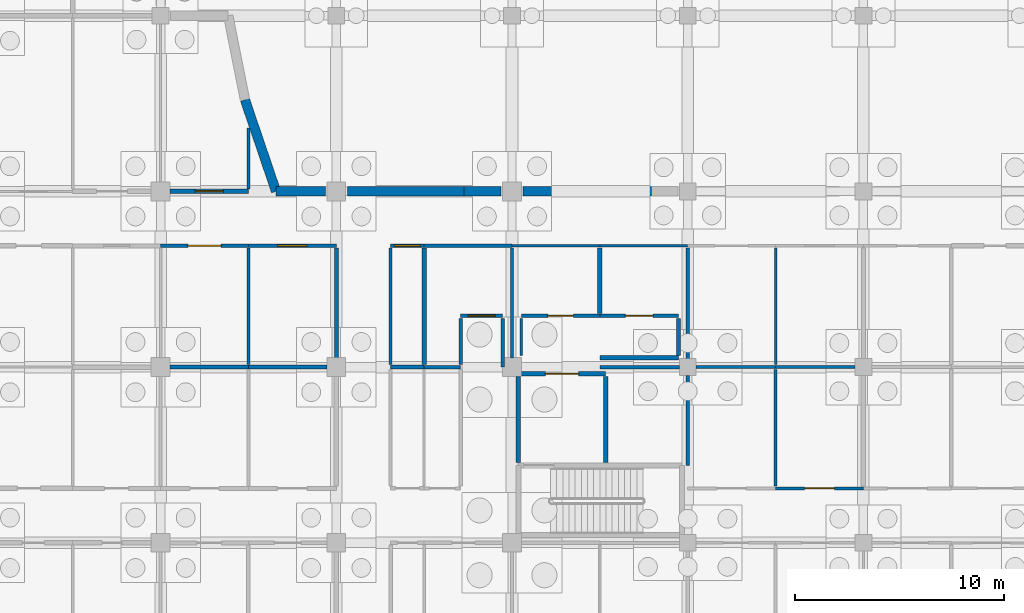
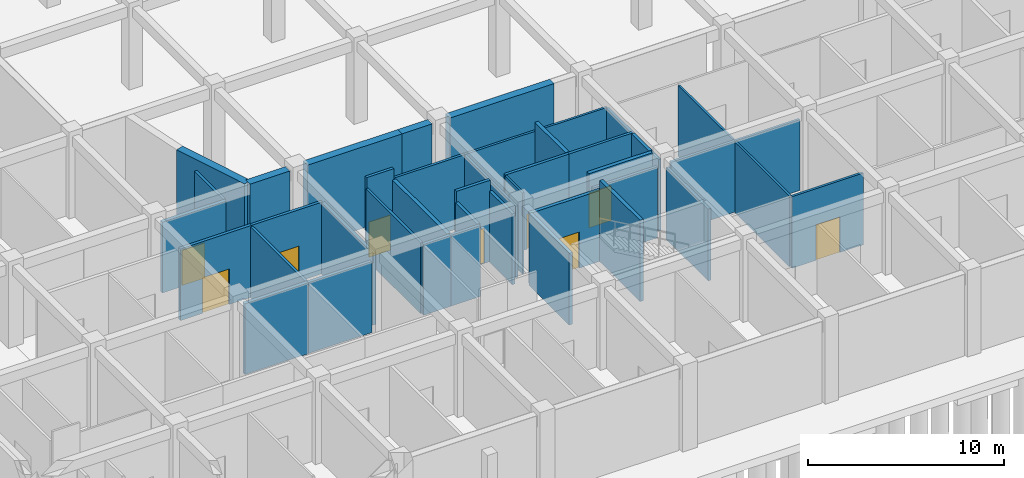
# One storey, part 46 of 65: 42 walls, 9 doors, 9 openings.
"""IFC4 building model written with IfcOpenShell, lengths in metres."""

import ifcopenshell
import ifcopenshell.guid

model = None  # the IFC model being written
_history = None  # IfcOwnerHistory: only IFC2X3 demands one
_inside = {}  # id of a spatial element -> (the spatial element, [elements in it])
_under = {}  # id of a project, library or spatial element -> (it, [spatial elements below it])
_declared = {}  # id of a project -> (the project, [libraries it declares])
_typed = {}  # id of a type object -> (the type object, [elements of that type])
_made_of = {}  # id of a material, layer set ... -> (it, [elements and type objects made of it])


def new_model(schema):
    """Start an empty IFC model of exactly this schema.

    Asked for "IFC4X3", IfcOpenShell would pick the latest addendum, in which some entities
    have other attributes; the version numbers below select the first issue.
    IFC2X3 requires an IfcOwnerHistory on every rooted entity: one is made here for all.
    """
    global model, _history
    if schema == "IFC4X3":
        model = ifcopenshell.file(schema_version=(4, 3, 0, 0))
    else:
        model = ifcopenshell.file(schema=schema)
    _inside.clear()
    _under.clear()
    _declared.clear()
    _typed.clear()
    _made_of.clear()
    _history = None
    if model.schema == "IFC2X3":
        org = make("IfcOrganization", Name="unknown")
        user = make(
            "IfcPersonAndOrganization",
            ThePerson=make("IfcPerson", FamilyName="unknown"),
            TheOrganization=org,
        )
        app = make(
            "IfcApplication",
            ApplicationDeveloper=org,
            Version="unknown",
            ApplicationFullName="unknown",
            ApplicationIdentifier="unknown",
        )
        _history = make(
            "IfcOwnerHistory",
            OwningUser=user,
            OwningApplication=app,
            ChangeAction="ADDED",
            CreationDate=0,
        )
    return model


def make(cls, **values):
    """One entity of the class cls with the attributes given. An attribute that is None is left unset."""
    return model.create_entity(
        cls, **{name: value for name, value in values.items() if value is not None}
    )


def rooted(cls, **values):
    """An entity with a GlobalId (a new one), such as an element, a storey or a relation."""
    return make(cls, GlobalId=ifcopenshell.guid.new(), OwnerHistory=_history, **values)


def si_unit(unit_type, name, prefix=None):
    """IfcSIUnit, for example si_unit("LENGTHUNIT", "METRE", prefix="MILLI")."""
    return make("IfcSIUnit", UnitType=unit_type, Prefix=prefix, Name=name)


def assignment(units):
    """IfcUnitAssignment: the units of a project."""
    return None if units is None else make("IfcUnitAssignment", Units=units)


def point(xyz):
    """IfcCartesianPoint."""
    return None if xyz is None else make("IfcCartesianPoint", Coordinates=xyz)


def direction(xyz):
    """IfcDirection."""
    return None if xyz is None else make("IfcDirection", DirectionRatios=xyz)


def frame(location, z_axis=None, x_axis=None):
    """IfcAxis2Placement3D, a coordinate frame: its origin and axes. An axis left out is left unset."""
    return make(
        "IfcAxis2Placement3D",
        Location=point(location),
        Axis=direction(z_axis),
        RefDirection=direction(x_axis),
    )


def frame_2d(location, x_axis=None):
    """IfcAxis2Placement2D, a coordinate frame in the plane: its origin and x axis."""
    return make(
        "IfcAxis2Placement2D", Location=point(location), RefDirection=direction(x_axis)
    )


def origin():
    """The frame at (0, 0, 0) with its axes left unset."""
    return frame((0.0, 0.0, 0.0))


def place(relative_to, where):
    """IfcLocalPlacement: puts the frame where relative to a parent placement (None: the world)."""
    return make(
        "IfcLocalPlacement", PlacementRelTo=relative_to, RelativePlacement=where
    )


def context(
    kind, dimensions, precision=None, world=None, true_north=None, identifier=None
):
    """IfcGeometricRepresentationContext, for example the 3D "Model" context."""
    return make(
        "IfcGeometricRepresentationContext",
        ContextIdentifier=identifier,
        ContextType=kind,
        CoordinateSpaceDimension=dimensions,
        Precision=precision,
        WorldCoordinateSystem=world,
        TrueNorth=true_north,
    )


def subcontext(parent, identifier, kind, view, scale=None):
    """IfcGeometricRepresentationSubContext, for example "Body" below "Model"."""
    return make(
        "IfcGeometricRepresentationSubContext",
        ContextIdentifier=identifier,
        ContextType=kind,
        ParentContext=parent,
        TargetScale=scale,
        TargetView=view,
    )


def project(units=None, contexts=None):
    """IfcProject with its units and contexts."""
    return rooted(
        "IfcProject",
        Name="project",
        RepresentationContexts=contexts,
        UnitsInContext=assignment(units),
    )


def spatial(cls, under=None, at=None, **own):
    """A site, building, storey or space (cls), placed at a placement, below another one or the project."""
    s = rooted(cls, ObjectPlacement=at, **own)
    if under is not None:
        _under.setdefault(under.id(), (under, []))[1].append(s)
    return s


def profile(cls, at=None, kind="AREA", **sizes):
    """A parametric profile (cls). Its sizes go by their IFC names, for example OverallWidth=200.0."""
    return make(cls, ProfileType=kind, Position=at, **sizes)


def rectangle(**sizes):
    """IfcRectangleProfileDef."""
    return profile("IfcRectangleProfileDef", **sizes)


def extrude(swept, where, along, depth):
    """IfcExtrudedAreaSolid: the profile swept, set in the frame where, extruded along a direction by depth."""
    return make(
        "IfcExtrudedAreaSolid",
        SweptArea=swept,
        Position=where,
        ExtrudedDirection=direction(along),
        Depth=depth,
    )


def shape(context_of_items, identifier, shape_type, items):
    """IfcShapeRepresentation: the items that make up one representation, for example the "Body"."""
    return make(
        "IfcShapeRepresentation",
        ContextOfItems=context_of_items,
        RepresentationIdentifier=identifier,
        RepresentationType=shape_type,
        Items=items,
    )


def material(Name=None, Category=None):
    """IfcMaterial."""
    return make("IfcMaterial", Name=Name, Category=Category)


def layer(
    of_material, thickness, ventilated=None, Name=None, Category=None, Priority=None
):
    """IfcMaterialLayer: one layer of a wall or slab, of a material (None: an air gap)."""
    return make(
        "IfcMaterialLayer",
        Material=of_material,
        LayerThickness=thickness,
        IsVentilated=ventilated,
        Name=Name,
        Category=Category,
        Priority=Priority,
    )


def layer_set(layers, Name=None):
    """IfcMaterialLayerSet."""
    return make("IfcMaterialLayerSet", MaterialLayers=layers, LayerSetName=Name)


def made_of(thing, what):
    """Note that an element or type object is made of a material, layer set ...; save() writes the relation."""
    if what is not None:
        _made_of.setdefault(what.id(), (what, []))[1].append(thing)
    return thing


def type_object(cls, material=None, **own):
    """A type object (cls), such as IfcWallType, which elements share."""
    return made_of(rooted(cls, **own), material)


def element(
    cls,
    number,
    at=None,
    inside=None,
    cuts=None,
    type_object=None,
    material=None,
    context=None,
    identifier="Body",
    shape_type=None,
    held_by="IfcProductDefinitionShape",
    body=None,
    shapes=None,
    **own,
):
    """One element of the class cls, such as IfcWall. Its Tag is "e" and its number.

    at: its placement. inside: the storey or other place that contains it. cuts: it is an
    opening in that element (IfcRelVoidsElement). A single representation is given by context,
    identifier, shape_type and body (its items); several are given by shapes. held_by: the class
    of the entity that holds the representations. save() writes the other relations.
    """
    e = rooted(cls, Tag="e%d" % number, ObjectPlacement=at, **own)
    if body is not None:
        shapes = [shape(context, identifier, shape_type, body)]
    if shapes is not None:
        e.Representation = make(held_by, Representations=shapes)
    if inside is not None:
        _inside.setdefault(inside.id(), (inside, []))[1].append(e)
    if cuts is not None:
        rooted(
            "IfcRelVoidsElement", RelatingBuildingElement=cuts, RelatedOpeningElement=e
        )
    if type_object is not None:
        _typed.setdefault(type_object.id(), (type_object, []))[1].append(e)
    return made_of(e, material)


def fill(opening, filler):
    """IfcRelFillsElement: the door or window that sits in an opening."""
    return rooted(
        "IfcRelFillsElement",
        RelatingOpeningElement=opening,
        RelatedBuildingElement=filler,
    )


def aggregate(whole, parts):
    """IfcRelAggregates: a whole, such as a stair, and the parts it consists of."""
    return rooted("IfcRelAggregates", RelatingObject=whole, RelatedObjects=parts)


def save(model, path):
    """Write the relations noted so far, then the file.

    IfcRelAggregates (storeys below a building ...), IfcRelContainedInSpatialStructure (elements
    in a storey), IfcRelDefinesByType, IfcRelAssociatesMaterial and IfcRelDeclares: one each for
    every whole, place, type object, material and project.
    """
    for whole, parts in _under.values():
        aggregate(whole, parts)
    for where, things in _inside.values():
        rooted(
            "IfcRelContainedInSpatialStructure",
            RelatedElements=things,
            RelatingStructure=where,
        )
    for kind, things in _typed.values():
        rooted("IfcRelDefinesByType", RelatedObjects=things, RelatingType=kind)
    for what, things in _made_of.values():
        rooted("IfcRelAssociatesMaterial", RelatedObjects=things, RelatingMaterial=what)
    for by, libraries in _declared.values():
        rooted("IfcRelDeclares", RelatingContext=by, RelatedDefinitions=libraries)
    model.write(path)


model = new_model("IFC4")

# Units and contexts
model_context = context("Model", 3, precision=1e-05, world=origin(), true_north=direction((0.0, 1.0)))
body_context = subcontext(model_context, "Body", "Model", "MODEL_VIEW")
ifc_project = project(units=[si_unit("LENGTHUNIT", "METRE"), si_unit("AREAUNIT", "SQUARE_METRE"), si_unit("VOLUMEUNIT", "CUBIC_METRE"), si_unit("PLANEANGLEUNIT", "RADIAN"), si_unit("MASSUNIT", "GRAM", prefix="KILO")], contexts=[model_context])

# Site, building, storey
site_placement = place(None, origin())
site = spatial("IfcSite", under=ifc_project, at=site_placement, CompositionType="ELEMENT")
building_placement = place(site_placement, origin())
building = spatial("IfcBuilding", under=site, at=building_placement, Name="Bramfleet General Hospital", CompositionType="ELEMENT")
storey_placement = place(building_placement, frame((0.0, 0.0, -5.39990234375)))
storey = spatial("IfcBuildingStorey", under=building, at=storey_placement, Name="B1", CompositionType="ELEMENT", Elevation=-5.39990234375)

# Walls
ifc_material_1 = material(Name="Concrete C35/45", Category="concrete")
ifc_layer_1 = layer(ifc_material_1, 0.449951171875, Name="WT-EW-01")
ifc_layer_set_1 = layer_set([ifc_layer_1], Name="Concrete C35/45")
wall_type_1 = type_object("IfcWallType", Name="WT-EW-01", PredefinedType="SOLIDWALL", material=ifc_layer_set_1)
wall_1_placement = place(storey_placement, frame((130.035888671875, 29.576904296875, 0.0), z_axis=(0.0, 0.0, 1.0), x_axis=(0.321309878482, -0.946974108405, 0.0)))
element("IfcWall", 1, at=wall_1_placement, inside=storey, type_object=wall_type_1, Name="B1 Waterproof Retaining Wall 53", PredefinedType="SOLIDWALL", context=body_context, shape_type="SweptSolid", body=[
    extrude(rectangle(XDim=4.6220703125, YDim=0.449951171875, at=frame_2d((2.31103515625, 0.0))), origin(), (0.0, 0.0, 1.0), 5.079833984375),
])
wall_2_placement = place(storey_placement, frame((131.52099609375, 25.199951171875, 0.0), z_axis=(0.0, 0.0, 1.0), x_axis=(1.0, 0.0, 0.0)))
element("IfcWall", 2, at=wall_2_placement, inside=storey, type_object=wall_type_1, Name="B1 Waterproof Retaining Wall 54", PredefinedType="SOLIDWALL", context=body_context, shape_type="SweptSolid", body=[
    extrude(rectangle(XDim=2.35400390625, YDim=0.449951171875, at=frame_2d((1.177001953125, 0.0))), origin(), (0.0, 0.0, 1.0), 5.079833984375),
])
wall_3_placement = place(storey_placement, frame((134.925048828125, 25.199951171875, 0.0), z_axis=(0.0, 0.0, 1.0), x_axis=(1.0, 0.0, 0.0)))
element("IfcWall", 3, at=wall_3_placement, inside=storey, type_object=wall_type_1, Name="B1 Waterproof Retaining Wall 55", PredefinedType="SOLIDWALL", context=body_context, shape_type="SweptSolid", body=[
    extrude(rectangle(XDim=5.572021484375, YDim=0.449951171875, at=frame_2d((2.7861328125, 0.0))), origin(), (0.0, 0.0, 1.0), 5.079833984375),
])
wall_4_placement = place(storey_placement, frame((140.4970703125, 25.199951171875, 0.0), z_axis=(0.0, 0.0, 1.0), x_axis=(1.0, 0.0, 0.0)))
element("IfcWall", 4, at=wall_4_placement, inside=storey, type_object=wall_type_1, Name="B1 Waterproof Retaining Wall 56", PredefinedType="SOLIDWALL", context=body_context, shape_type="SweptSolid", body=[
    extrude(rectangle(XDim=1.77783203125, YDim=0.449951171875, at=frame_2d((0.888916015625, 0.0))), origin(), (0.0, 0.0, 1.0), 5.079833984375),
])
wall_5_placement = place(storey_placement, frame((143.324951171875, 25.199951171875, 0.0), z_axis=(0.0, 0.0, 1.0), x_axis=(1.0, 0.0, 0.0)))
element("IfcWall", 5, at=wall_5_placement, inside=storey, type_object=wall_type_1, Name="B1 Waterproof Retaining Wall 57", PredefinedType="SOLIDWALL", context=body_context, shape_type="SweptSolid", body=[
    extrude(rectangle(XDim=6.14794921875, YDim=0.449951171875, at=frame_2d((3.073974609375, 0.0))), origin(), (0.0, 0.0, 1.0), 5.079833984375),
])
ifc_layer_2 = layer(ifc_material_1, 0.219970703125, Name="WT-IW-01")
ifc_layer_set_2 = layer_set([ifc_layer_2], Name="Concrete C35/45")
wall_type_2 = type_object("IfcWallType", Name="WT-IW-01", PredefinedType="PARTITIONING", material=ifc_layer_set_2)
wall_6_placement = place(storey_placement, frame((147.0, 17.25, 0.0), z_axis=(0.0, 0.0, 1.0), x_axis=(1.0, 0.0, 0.0)))
element("IfcWall", 6, at=wall_6_placement, inside=storey, type_object=wall_type_2, Name="B1 Interior Partition IW-B1-0073", PredefinedType="PARTITIONING", context=body_context, shape_type="SweptSolid", body=[
    extrude(rectangle(XDim=3.75, YDim=0.219970703125, at=frame_2d((1.875, 0.0))), origin(), (0.0, 0.0, 1.0), 5.06982421875),
])
wall_7_placement = place(storey_placement, frame((138.60009765625, 16.9150390625, 0.0), z_axis=(0.0, 0.0, 1.0), x_axis=(0.0, 1.0, 0.0)))
element("IfcWall", 7, at=wall_7_placement, inside=storey, type_object=wall_type_2, Name="B1 Interior Partition IW-B1-0565", PredefinedType="PARTITIONING", context=body_context, shape_type="SweptSolid", body=[
    extrude(rectangle(XDim=5.570068359375, YDim=0.219970703125, at=frame_2d((2.78515625, 0.0))), origin(), (0.0, 0.0, 1.0), 4.419921875),
])
wall_8_placement = place(storey_placement, frame((147.0, 19.364990234375, 0.0), z_axis=(0.0, 0.0, 1.0), x_axis=(0.0, 1.0, 0.0)))
element("IfcWall", 8, at=wall_8_placement, inside=storey, type_object=wall_type_2, Name="B1 Interior Partition IW-B1-0577", PredefinedType="PARTITIONING", context=body_context, shape_type="SweptSolid", body=[
    extrude(rectangle(XDim=3.1201171875, YDim=0.219970703125, at=frame_2d((1.56005859375, 0.0))), origin(), (0.0, 0.0, 1.0), 5.06982421875),
])
ifc_layer_3 = layer(ifc_material_1, 0.205078125, Name="WT-IW-02")
ifc_layer_set_3 = layer_set([ifc_layer_3], Name="Concrete C35/45")
wall_type_3 = type_object("IfcWallType", Name="WT-IW-02", PredefinedType="PARTITIONING", material=ifc_layer_set_3)
wall_9_placement = place(storey_placement, frame((147.280029296875, 12.239990234375, 0.0), z_axis=(0.0, 0.0, 1.0), x_axis=(0.0, 1.0, 0.0)))
element("IfcWall", 9, at=wall_9_placement, inside=storey, type_object=wall_type_3, Name="B1 C10 Lobby East Shaft Wall", PredefinedType="PARTITIONING", context=body_context, shape_type="SweptSolid", body=[
    extrude(rectangle(XDim=4.1201171875, YDim=0.205078125, at=frame_2d((2.06005859375, 0.0))), origin(), (0.0, 0.0, 1.0), 5.06982421875),
])
wall_10_placement = place(storey_placement, frame((143.10009765625, 12.239990234375, 0.0), z_axis=(0.0, 0.0, 1.0), x_axis=(0.0, 1.0, 0.0)))
element("IfcWall", 10, at=wall_10_placement, inside=storey, type_object=wall_type_3, Name="B1 C10 Lobby West Compartment Wall", PredefinedType="PARTITIONING", context=body_context, shape_type="SweptSolid", body=[
    extrude(rectangle(XDim=4.1201171875, YDim=0.205078125, at=frame_2d((2.06005859375, 0.0))), origin(), (0.0, 0.0, 1.0), 4.469970703125),
])

# Wall, opening, door
wall_11_placement = place(storey_placement, frame((143.10009765625, 16.47998046875, 0.0), z_axis=(0.0, 0.0, 1.0), x_axis=(1.0, 0.0, 0.0)))
wall_11 = element("IfcWall", 11, at=wall_11_placement, inside=storey, type_object=wall_type_3, Name="B1 C10 Lobby North Compartment Wall", PredefinedType="PARTITIONING", context=body_context, shape_type="SweptSolid", body=[
    extrude(rectangle(XDim=4.179931640625, YDim=0.205078125, at=frame_2d((2.08984375, 0.0))), origin(), (0.0, 0.0, 1.0), 4.419921875),
])
opening_1_placement = place(wall_11_placement, frame((1.2900390625, 0.0, 0.0)))
opening_1 = element("IfcOpeningElement", 12, at=opening_1_placement, cuts=wall_11, Name="Opening D0124", PredefinedType="OPENING", context=body_context, shape_type="SweptSolid", body=[
    extrude(rectangle(XDim=1.60009765625, YDim=2.25, at=frame_2d((0.800048828125, 1.125))), frame((0.0, 0.112548828125, 0.0), z_axis=(0.0, -1.0, 0.0), x_axis=(1.0, 0.0, 0.0)), (0.0, 0.0, 1.0), 0.22509765625),
])
ifc_material_2 = material(Name="Stainless steel and acoustic timber leaf", Category="steel")
door_type_1 = type_object("IfcDoorType", Name="DR-D-04", OperationType="NOTDEFINED", PredefinedType="DOOR", material=ifc_material_2)
door_1_placement = place(opening_1_placement, origin())
door_1 = element("IfcDoor", 13, at=door_1_placement, inside=storey, type_object=door_type_1, Name="B1 C10 Lobby Fire Door D0124", OperationType="DOUBLE_SWING_LEFT", OverallHeight=2.25, OverallWidth=1.60009765625, PredefinedType="DOOR", context=body_context, shape_type="SweptSolid", body=[
    extrude(rectangle(XDim=1.60009765625, YDim=2.25, at=frame_2d((0.800048828125, 1.125))), frame((0.0, 0.02490234375, 0.0), z_axis=(0.0, -1.0, 0.0), x_axis=(1.0, 0.0, 0.0)), (0.0, 0.0, 1.0), 0.050048828125),
])
fill(opening_1, door_1)

# Wall
wall_12_placement = place(storey_placement, frame((126.445068359375, 16.800048828125, 0.0), z_axis=(0.0, 0.0, 1.0), x_axis=(1.0, 0.0, 0.0)))
element("IfcWall", 14, at=wall_12_placement, inside=storey, type_object=wall_type_3, Name="B1 Interior Partition IW-B1-0062", PredefinedType="PARTITIONING", context=body_context, shape_type="SweptSolid", body=[
    extrude(rectangle(XDim=3.7548828125, YDim=0.205078125, at=frame_2d((1.87744140625, 0.0))), origin(), (0.0, 0.0, 1.0), 4.419921875),
])

# Wall, opening, door
wall_13_placement = place(storey_placement, frame((126.445068359375, 25.199951171875, 0.0), z_axis=(0.0, 0.0, 1.0), x_axis=(1.0, 0.0, 0.0)))
wall_13 = element("IfcWall", 15, at=wall_13_placement, inside=storey, type_object=wall_type_3, Name="B1 Interior Partition IW-B1-0110", PredefinedType="PARTITIONING", context=body_context, shape_type="SweptSolid", body=[
    extrude(rectangle(XDim=3.7548828125, YDim=0.205078125, at=frame_2d((1.87744140625, 0.0))), origin(), (0.0, 0.0, 1.0), 4.419921875),
])
opening_2_placement = place(wall_13_placement, frame((1.202392578125, 0.0, 0.0)))
opening_2 = element("IfcOpeningElement", 16, at=opening_2_placement, cuts=wall_13, Name="Opening D0354", PredefinedType="OPENING", context=body_context, shape_type="SweptSolid", body=[
    extrude(rectangle(XDim=1.35009765625, YDim=2.199951171875, at=frame_2d((0.675048828125, 1.10009765625))), frame((0.0, 0.112548828125, 0.0), z_axis=(0.0, -1.0, 0.0), x_axis=(1.0, 0.0, 0.0)), (0.0, 0.0, 1.0), 0.22509765625),
])
door_type_2 = type_object("IfcDoorType", Name="DR-D-02", OperationType="NOTDEFINED", PredefinedType="DOOR", material=ifc_material_2)
door_2_placement = place(opening_2_placement, origin())
door_2 = element("IfcDoor", 17, at=door_2_placement, inside=storey, type_object=door_type_2, Name="Clean Medical Supply Store B1-1503 Door D0354", OperationType="SINGLE_SWING_LEFT", OverallHeight=2.199951171875, OverallWidth=1.35009765625, PredefinedType="DOOR", context=body_context, shape_type="SweptSolid", body=[
    extrude(rectangle(XDim=1.35009765625, YDim=2.199951171875, at=frame_2d((0.675048828125, 1.10009765625))), frame((0.0, 0.02490234375, 0.0), z_axis=(0.0, -1.0, 0.0), x_axis=(1.0, 0.0, 0.0)), (0.0, 0.0, 1.0), 0.050048828125),
])
fill(opening_2, door_2)

# Walls
ifc_layer_4 = layer(ifc_material_1, 0.18994140625, Name="WT-IW-03")
ifc_layer_set_4 = layer_set([ifc_layer_4], Name="Concrete C35/45")
wall_type_4 = type_object("IfcWallType", Name="WT-IW-03", PredefinedType="PARTITIONING", material=ifc_layer_set_4)
wall_14_placement = place(storey_placement, frame((130.199951171875, 16.800048828125, 0.0), z_axis=(0.0, 0.0, 1.0), x_axis=(1.0, 0.0, 0.0)))
element("IfcWall", 18, at=wall_14_placement, inside=storey, type_object=wall_type_4, Name="B1 Interior Partition IW-B1-0063", PredefinedType="PARTITIONING", context=body_context, shape_type="SweptSolid", body=[
    extrude(rectangle(XDim=3.755126953125, YDim=0.18994140625, at=frame_2d((1.87744140625, 0.0))), origin(), (0.0, 0.0, 1.0), 4.419921875),
])
wall_15_placement = place(storey_placement, frame((134.39990234375, 17.2451171875, 0.0), z_axis=(0.0, 0.0, 1.0), x_axis=(0.0, 1.0, 0.0)))
element("IfcWall", 19, at=wall_15_placement, inside=storey, type_object=wall_type_4, Name="B1 Interior Partition IW-B1-0555", PredefinedType="PARTITIONING", context=body_context, shape_type="SweptSolid", body=[
    extrude(rectangle(XDim=5.239990234375, YDim=0.18994140625, at=frame_2d((2.6201171875, 0.0))), origin(), (0.0, 0.0, 1.0), 4.469970703125),
])
wall_16_placement = place(storey_placement, frame((150.75, 17.364990234375, 0.0), z_axis=(0.0, 0.0, 1.0), x_axis=(0.0, 1.0, 0.0)))
element("IfcWall", 20, at=wall_16_placement, inside=storey, type_object=wall_type_4, Name="B1 Interior Partition IW-B1-0579", PredefinedType="PARTITIONING", context=body_context, shape_type="SweptSolid", body=[
    extrude(rectangle(XDim=1.77001953125, YDim=0.18994140625, at=frame_2d((0.885009765625, 0.0))), origin(), (0.0, 0.0, 1.0), 5.06982421875),
])
ifc_layer_5 = layer(ifc_material_1, 0.179931640625, Name="WT-IW-04")
ifc_layer_set_5 = layer_set([ifc_layer_5], Name="Concrete C35/45")
wall_type_5 = type_object("IfcWallType", Name="WT-IW-04", PredefinedType="PARTITIONING", material=ifc_layer_set_5)
wall_17_placement = place(storey_placement, frame((137.0, 16.800048828125, 0.0), z_axis=(0.0, 0.0, 1.0), x_axis=(1.0, 0.0, 0.0)))
element("IfcWall", 21, at=wall_17_placement, inside=storey, type_object=wall_type_5, Name="B1 Interior Partition IW-B1-0064", PredefinedType="PARTITIONING", context=body_context, shape_type="SweptSolid", body=[
    extrude(rectangle(XDim=1.60009765625, YDim=0.179931640625, at=frame_2d((0.800048828125, 0.0))), origin(), (0.0, 0.0, 1.0), 4.419921875),
])

# Wall, opening, door
wall_18_placement = place(storey_placement, frame((140.35009765625, 19.25, 0.0), z_axis=(0.0, 0.0, 1.0), x_axis=(1.0, 0.0, 0.0)))
wall_18 = element("IfcWall", 22, at=wall_18_placement, inside=storey, type_object=wall_type_5, Name="B1 Interior Partition IW-B1-0076", PredefinedType="PARTITIONING", context=body_context, shape_type="SweptSolid", body=[
    extrude(rectangle(XDim=2.0, YDim=0.179931640625, at=frame_2d((1.0, 0.0))), origin(), (0.0, 0.0, 1.0), 5.06982421875),
])
opening_3_placement = place(wall_18_placement, frame((0.35009765625, 0.0, 0.0)))
opening_3 = element("IfcOpeningElement", 23, at=opening_3_placement, cuts=wall_18, Name="Opening D0367", PredefinedType="OPENING", context=body_context, shape_type="SweptSolid", body=[
    extrude(rectangle(XDim=1.300048828125, YDim=2.199951171875, at=frame_2d((0.64990234375, 1.10009765625))), frame((0.0, 0.099853515625, 0.0), z_axis=(0.0, -1.0, 0.0), x_axis=(1.0, 0.0, 0.0)), (0.0, 0.0, 1.0), 0.199951171875),
])
door_type_3 = type_object("IfcDoorType", Name="DR-D-15", OperationType="NOTDEFINED", PredefinedType="DOOR", material=ifc_material_2)
door_3_placement = place(opening_3_placement, origin())
door_3 = element("IfcDoor", 24, at=door_3_placement, inside=storey, type_object=door_type_3, Name="Clinical Engineering Workshop B1-1602 Door D0367", OperationType="SINGLE_SWING_RIGHT", OverallHeight=2.199951171875, OverallWidth=1.300048828125, PredefinedType="DOOR", context=body_context, shape_type="SweptSolid", body=[
    extrude(rectangle(XDim=1.300048828125, YDim=2.199951171875, at=frame_2d((0.64990234375, 1.10009765625))), frame((0.0, 0.02490234375, 0.0), z_axis=(0.0, -1.0, 0.0), x_axis=(1.0, 0.0, 0.0)), (0.0, 0.0, 1.0), 0.050048828125),
])
fill(opening_3, door_3)

wall_19_placement = place(storey_placement, frame((126.0, 22.60009765625, 0.0), z_axis=(0.0, 0.0, 1.0), x_axis=(1.0, 0.0, 0.0)))
wall_19 = element("IfcWall", 25, at=wall_19_placement, inside=storey, type_object=wall_type_5, Name="B1 Interior Partition IW-B1-0088", PredefinedType="PARTITIONING", context=body_context, shape_type="SweptSolid", body=[
    extrude(rectangle(XDim=4.199951171875, YDim=0.179931640625, at=frame_2d((2.10009765625, 0.0))), origin(), (0.0, 0.0, 1.0), 4.469970703125),
])
opening_4_placement = place(wall_19_placement, frame((1.31005859375, 0.0, 0.0)))
opening_4 = element("IfcOpeningElement", 26, at=opening_4_placement, cuts=wall_19, Name="Opening D0352", PredefinedType="OPENING", context=body_context, shape_type="SweptSolid", body=[
    extrude(rectangle(XDim=1.580078125, YDim=2.219970703125, at=frame_2d((0.7900390625, 1.10986328125))), frame((0.0, 0.099853515625, 0.0), z_axis=(0.0, -1.0, 0.0), x_axis=(1.0, 0.0, 0.0)), (0.0, 0.0, 1.0), 0.199951171875),
])
door_type_4 = type_object("IfcDoorType", Name="DR-D-32", OperationType="NOTDEFINED", PredefinedType="DOOR", material=ifc_material_2)
door_4_placement = place(opening_4_placement, origin())
door_4 = element("IfcDoor", 27, at=door_4_placement, inside=storey, type_object=door_type_4, Name="Clean Medical Supply Store B1-1502 Door D0352", OperationType="DOUBLE_SWING_LEFT", OverallHeight=2.219970703125, OverallWidth=1.580078125, PredefinedType="DOOR", context=body_context, shape_type="SweptSolid", body=[
    extrude(rectangle(XDim=1.580078125, YDim=2.219970703125, at=frame_2d((0.7900390625, 1.10986328125))), frame((0.0, 0.02490234375, 0.0), z_axis=(0.0, -1.0, 0.0), x_axis=(1.0, 0.0, 0.0)), (0.0, 0.0, 1.0), 0.050048828125),
])
fill(opening_4, door_4)

# Wall
ifc_material_3 = material(Name="Gypsum plasterboard on acoustic steel studs", Category="steel")
ifc_layer_6 = layer(ifc_material_3, 0.169921875, Name="WT-IW-05")
ifc_layer_set_6 = layer_set([ifc_layer_6], Name="Gypsum plasterboard on acoustic steel studs")
wall_type_6 = type_object("IfcWallType", Name="WT-IW-05", PredefinedType="PARTITIONING", material=ifc_layer_set_6)
wall_20_placement = place(storey_placement, frame((138.60009765625, 16.800048828125, 0.0), z_axis=(0.0, 0.0, 1.0), x_axis=(1.0, 0.0, 0.0)))
element("IfcWall", 28, at=wall_20_placement, inside=storey, type_object=wall_type_6, Name="B1 Interior Partition IW-B1-0065", PredefinedType="PARTITIONING", context=body_context, shape_type="SweptSolid", body=[
    extrude(rectangle(XDim=1.75, YDim=0.169921875, at=frame_2d((0.875, 0.0))), origin(), (0.0, 0.0, 1.0), 4.419921875),
])

# Wall, opening, door
wall_21_placement = place(storey_placement, frame((143.25, 19.25, 0.0), z_axis=(0.0, 0.0, 1.0), x_axis=(1.0, 0.0, 0.0)))
wall_21 = element("IfcWall", 29, at=wall_21_placement, inside=storey, type_object=wall_type_6, Name="B1 Interior Partition IW-B1-0077", PredefinedType="PARTITIONING", context=body_context, shape_type="SweptSolid", body=[
    extrude(rectangle(XDim=3.75, YDim=0.169921875, at=frame_2d((1.875, 0.0))), origin(), (0.0, 0.0, 1.0), 5.06982421875),
])
opening_5_placement = place(wall_21_placement, frame((1.264892578125, 0.0, 0.0)))
opening_5 = element("IfcOpeningElement", 30, at=opening_5_placement, cuts=wall_21, Name="Opening D0375", PredefinedType="OPENING", context=body_context, shape_type="SweptSolid", body=[
    extrude(rectangle(XDim=1.219970703125, YDim=2.179931640625, at=frame_2d((0.60986328125, 1.08984375))), frame((0.0, 0.094970703125, 0.0), z_axis=(0.0, -1.0, 0.0), x_axis=(1.0, 0.0, 0.0)), (0.0, 0.0, 1.0), 0.18994140625),
])
door_type_5 = type_object("IfcDoorType", Name="DR-D-23", OperationType="NOTDEFINED", PredefinedType="DOOR", material=ifc_material_2)
door_5_placement = place(opening_5_placement, origin())
door_5 = element("IfcDoor", 31, at=door_5_placement, inside=storey, type_object=door_type_5, Name="Clean Medical Supply Store B1-1702 Door D0375", OperationType="SINGLE_SWING_RIGHT", OverallHeight=2.179931640625, OverallWidth=1.219970703125, PredefinedType="DOOR", context=body_context, shape_type="SweptSolid", body=[
    extrude(rectangle(XDim=1.219970703125, YDim=2.179931640625, at=frame_2d((0.60986328125, 1.08984375))), frame((0.0, 0.02490234375, 0.0), z_axis=(0.0, -1.0, 0.0), x_axis=(1.0, 0.0, 0.0)), (0.0, 0.0, 1.0), 0.050048828125),
])
fill(opening_5, door_5)

wall_22_placement = place(storey_placement, frame((130.199951171875, 22.60009765625, 0.0), z_axis=(0.0, 0.0, 1.0), x_axis=(1.0, 0.0, 0.0)))
wall_22 = element("IfcWall", 32, at=wall_22_placement, inside=storey, type_object=wall_type_6, Name="B1 Interior Partition IW-B1-0089", PredefinedType="PARTITIONING", context=body_context, shape_type="SweptSolid", body=[
    extrude(rectangle(XDim=4.199951171875, YDim=0.169921875, at=frame_2d((2.10009765625, 0.0))), origin(), (0.0, 0.0, 1.0), 4.469970703125),
])
opening_6_placement = place(wall_22_placement, frame((1.39990234375, 0.0, 0.0)))
opening_6 = element("IfcOpeningElement", 33, at=opening_6_placement, cuts=wall_22, Name="Opening D0353", PredefinedType="OPENING", context=body_context, shape_type="SweptSolid", body=[
    extrude(rectangle(XDim=1.39990234375, YDim=2.199951171875, at=frame_2d((0.699951171875, 1.10009765625))), frame((0.0, 0.094970703125, 0.0), z_axis=(0.0, -1.0, 0.0), x_axis=(1.0, 0.0, 0.0)), (0.0, 0.0, 1.0), 0.18994140625),
])
door_type_6 = type_object("IfcDoorType", Name="DR-D-01", OperationType="NOTDEFINED", PredefinedType="DOOR", material=ifc_material_2)
door_6_placement = place(opening_6_placement, origin())
door_6 = element("IfcDoor", 34, at=door_6_placement, inside=storey, type_object=door_type_6, Name="Clinical Engineering Workshop B1-1502 Door D0353", OperationType="SINGLE_SWING_RIGHT", OverallHeight=2.199951171875, OverallWidth=1.39990234375, PredefinedType="DOOR", context=body_context, shape_type="SweptSolid", body=[
    extrude(rectangle(XDim=1.39990234375, YDim=2.199951171875, at=frame_2d((0.699951171875, 1.10009765625))), frame((0.0, 0.02490234375, 0.0), z_axis=(0.0, -1.0, 0.0), x_axis=(1.0, 0.0, 0.0)), (0.0, 0.0, 1.0), 0.050048828125),
])
fill(opening_6, door_6)

# Walls
wall_23_placement = place(storey_placement, frame((140.35009765625, 16.9150390625, 0.0), z_axis=(0.0, 0.0, 1.0), x_axis=(0.0, 1.0, 0.0)))
element("IfcWall", 35, at=wall_23_placement, inside=storey, type_object=wall_type_6, Name="B1 Interior Partition IW-B1-0569", PredefinedType="PARTITIONING", context=body_context, shape_type="SweptSolid", body=[
    extrude(rectangle(XDim=2.219970703125, YDim=0.169921875, at=frame_2d((1.10986328125, 0.0))), origin(), (0.0, 0.0, 1.0), 4.419921875),
])
wall_24_placement = place(storey_placement, frame((151.199951171875, 12.10009765625, 0.0), z_axis=(0.0, 0.0, 1.0), x_axis=(0.0, 1.0, 0.0)))
element("IfcWall", 36, at=wall_24_placement, inside=storey, type_object=wall_type_6, Name="B1 Interior Partition IW-B1-0581", PredefinedType="PARTITIONING", context=body_context, shape_type="SweptSolid", body=[
    extrude(rectangle(XDim=4.304931640625, YDim=0.169921875, at=frame_2d((2.15234375, 0.0))), origin(), (0.0, 0.0, 1.0), 4.469970703125),
])
ifc_layer_7 = layer(ifc_material_3, 0.159912109375, Name="WT-IW-06")
ifc_layer_set_7 = layer_set([ifc_layer_7], Name="Gypsum plasterboard on acoustic steel studs")
wall_type_7 = type_object("IfcWallType", Name="WT-IW-06", PredefinedType="PARTITIONING", material=ifc_layer_set_7)
wall_25_placement = place(storey_placement, frame((147.0, 16.800048828125, 0.0), z_axis=(0.0, 0.0, 1.0), x_axis=(1.0, 0.0, 0.0)))
element("IfcWall", 37, at=wall_25_placement, inside=storey, type_object=wall_type_7, Name="B1 Interior Partition IW-B1-0066", PredefinedType="PARTITIONING", context=body_context, shape_type="SweptSolid", body=[
    extrude(rectangle(XDim=3.804931640625, YDim=0.159912109375, at=frame_2d((1.90234375, 0.0))), origin(), (0.0, 0.0, 1.0), 4.419921875),
])

# Wall, opening, door
wall_26_placement = place(storey_placement, frame((147.0, 19.25, 0.0), z_axis=(0.0, 0.0, 1.0), x_axis=(1.0, 0.0, 0.0)))
wall_26 = element("IfcWall", 38, at=wall_26_placement, inside=storey, type_object=wall_type_7, Name="B1 Interior Partition IW-B1-0078", PredefinedType="PARTITIONING", context=body_context, shape_type="SweptSolid", body=[
    extrude(rectangle(XDim=3.75, YDim=0.159912109375, at=frame_2d((1.875, 0.0))), origin(), (0.0, 0.0, 1.0), 5.06982421875),
])
opening_7_placement = place(wall_26_placement, frame((1.215087890625, 0.0, 0.0)))
opening_7 = element("IfcOpeningElement", 39, at=opening_7_placement, cuts=wall_26, Name="Opening D0376", PredefinedType="OPENING", context=body_context, shape_type="SweptSolid", body=[
    extrude(rectangle(XDim=1.320068359375, YDim=2.179931640625, at=frame_2d((0.66015625, 1.08984375))), frame((0.0, 0.08984375, 0.0), z_axis=(0.0, -1.0, 0.0), x_axis=(1.0, 0.0, 0.0)), (0.0, 0.0, 1.0), 0.179931640625),
])
door_type_7 = type_object("IfcDoorType", Name="DR-D-24", OperationType="NOTDEFINED", PredefinedType="DOOR", material=ifc_material_2)
door_7_placement = place(opening_7_placement, origin())
door_7 = element("IfcDoor", 40, at=door_7_placement, inside=storey, type_object=door_type_7, Name="Clinical Engineering Workshop B1-1702 Door D0376", OperationType="SINGLE_SWING_LEFT", OverallHeight=2.179931640625, OverallWidth=1.320068359375, PredefinedType="DOOR", context=body_context, shape_type="SweptSolid", body=[
    extrude(rectangle(XDim=1.320068359375, YDim=2.179931640625, at=frame_2d((0.66015625, 1.08984375))), frame((0.0, 0.02490234375, 0.0), z_axis=(0.0, -1.0, 0.0), x_axis=(1.0, 0.0, 0.0)), (0.0, 0.0, 1.0), 0.050048828125),
])
fill(opening_7, door_7)

wall_27_placement = place(storey_placement, frame((137.0, 22.60009765625, 0.0), z_axis=(0.0, 0.0, 1.0), x_axis=(1.0, 0.0, 0.0)))
wall_27 = element("IfcWall", 41, at=wall_27_placement, inside=storey, type_object=wall_type_7, Name="B1 Interior Partition IW-B1-0090", PredefinedType="PARTITIONING", context=body_context, shape_type="SweptSolid", body=[
    extrude(rectangle(XDim=1.60009765625, YDim=0.159912109375, at=frame_2d((0.800048828125, 0.0))), origin(), (0.0, 0.0, 1.0), 5.06982421875),
])
opening_8_placement = place(wall_27_placement, frame((0.175048828125, 0.0, 0.0)))
opening_8 = element("IfcOpeningElement", 42, at=opening_8_placement, cuts=wall_27, Name="Opening D0366", PredefinedType="OPENING", context=body_context, shape_type="SweptSolid", body=[
    extrude(rectangle(XDim=1.25, YDim=2.199951171875, at=frame_2d((0.625, 1.10009765625))), frame((0.0, 0.08984375, 0.0), z_axis=(0.0, -1.0, 0.0), x_axis=(1.0, 0.0, 0.0)), (0.0, 0.0, 1.0), 0.179931640625),
])
door_type_8 = type_object("IfcDoorType", Name="DR-D-14", OperationType="NOTDEFINED", PredefinedType="DOOR", material=ifc_material_2)
door_8_placement = place(opening_8_placement, origin())
door_8 = element("IfcDoor", 43, at=door_8_placement, inside=storey, type_object=door_type_8, Name="Clean Medical Supply Store B1-1602 Door D0366", OperationType="SINGLE_SWING_LEFT", OverallHeight=2.199951171875, OverallWidth=1.25, PredefinedType="DOOR", context=body_context, shape_type="SweptSolid", body=[
    extrude(rectangle(XDim=1.25, YDim=2.199951171875, at=frame_2d((0.625, 1.10009765625))), frame((0.0, 0.02490234375, 0.0), z_axis=(0.0, -1.0, 0.0), x_axis=(1.0, 0.0, 0.0)), (0.0, 0.0, 1.0), 0.050048828125),
])
fill(opening_8, door_8)

# Walls
wall_28_placement = place(storey_placement, frame((142.35009765625, 16.800048828125, 0.0), z_axis=(0.0, 0.0, 1.0), x_axis=(0.0, 1.0, 0.0)))
element("IfcWall", 44, at=wall_28_placement, inside=storey, type_object=wall_type_7, Name="B1 Interior Partition IW-B1-0570", PredefinedType="PARTITIONING", context=body_context, shape_type="SweptSolid", body=[
    extrude(rectangle(XDim=2.3349609375, YDim=0.159912109375, at=frame_2d((1.16748046875, 0.0))), origin(), (0.0, 0.0, 1.0), 4.419921875),
])
wall_29_placement = place(storey_placement, frame((151.199951171875, 17.195068359375, 0.0), z_axis=(0.0, 0.0, 1.0), x_axis=(0.0, 1.0, 0.0)))
element("IfcWall", 45, at=wall_29_placement, inside=storey, type_object=wall_type_7, Name="B1 Interior Partition IW-B1-0582", PredefinedType="PARTITIONING", context=body_context, shape_type="SweptSolid", body=[
    extrude(rectangle(XDim=5.2900390625, YDim=0.159912109375, at=frame_2d((2.64501953125, 0.0))), origin(), (0.0, 0.0, 1.0), 4.469970703125),
])
ifc_layer_8 = layer(ifc_material_3, 0.14990234375, Name="WT-IW-07")
ifc_layer_set_8 = layer_set([ifc_layer_8], Name="Gypsum plasterboard on acoustic steel studs")
wall_type_8 = type_object("IfcWallType", Name="WT-IW-07", PredefinedType="PARTITIONING", material=ifc_layer_set_8)
wall_30_placement = place(storey_placement, frame((151.594970703125, 16.800048828125, 0.0), z_axis=(0.0, 0.0, 1.0), x_axis=(1.0, 0.0, 0.0)))
element("IfcWall", 46, at=wall_30_placement, inside=storey, type_object=wall_type_8, Name="B1 Interior Partition IW-B1-0067", PredefinedType="PARTITIONING", context=body_context, shape_type="SweptSolid", body=[
    extrude(rectangle(XDim=3.804931640625, YDim=0.14990234375, at=frame_2d((1.90234375, 0.0))), origin(), (0.0, 0.0, 1.0), 4.419921875),
])
wall_31_placement = place(storey_placement, frame((138.60009765625, 22.60009765625, 0.0), z_axis=(0.0, 0.0, 1.0), x_axis=(1.0, 0.0, 0.0)))
element("IfcWall", 47, at=wall_31_placement, inside=storey, type_object=wall_type_8, Name="B1 Interior Partition IW-B1-0091", PredefinedType="PARTITIONING", context=body_context, shape_type="SweptSolid", body=[
    extrude(rectangle(XDim=4.199951171875, YDim=0.14990234375, at=frame_2d((2.10009765625, 0.0))), origin(), (0.0, 0.0, 1.0), 4.469970703125),
])
wall_32_placement = place(storey_placement, frame((130.199951171875, 16.9150390625, 0.0), z_axis=(0.0, 0.0, 1.0), x_axis=(0.0, 1.0, 0.0)))
element("IfcWall", 48, at=wall_32_placement, inside=storey, type_object=wall_type_8, Name="B1 Interior Partition IW-B1-0547", PredefinedType="PARTITIONING", context=body_context, shape_type="SweptSolid", body=[
    extrude(rectangle(XDim=5.570068359375, YDim=0.14990234375, at=frame_2d((2.78515625, 0.0))), origin(), (0.0, 0.0, 1.0), 4.419921875),
])

# Wall, opening, door
ifc_layer_9 = layer(ifc_material_3, 0.139892578125, Name="WT-IW-08")
ifc_layer_set_9 = layer_set([ifc_layer_9], Name="Gypsum plasterboard on acoustic steel studs")
wall_type_9 = type_object("IfcWallType", Name="WT-IW-08", PredefinedType="PARTITIONING", material=ifc_layer_set_9)
wall_33_placement = place(storey_placement, frame((155.39990234375, 11.0, 0.0), z_axis=(0.0, 0.0, 1.0), x_axis=(1.0, 0.0, 0.0)))
wall_33 = element("IfcWall", 49, at=wall_33_placement, inside=storey, type_object=wall_type_9, Name="B1 Interior Partition IW-B1-0044", PredefinedType="PARTITIONING", context=body_context, shape_type="SweptSolid", body=[
    extrude(rectangle(XDim=4.2001953125, YDim=0.139892578125, at=frame_2d((2.10009765625, 0.0))), origin(), (0.0, 0.0, 1.0), 4.469970703125),
])
opening_9_placement = place(wall_33_placement, frame((1.389892578125, 0.0, 0.0)))
opening_9 = element("IfcOpeningElement", 50, at=opening_9_placement, cuts=wall_33, Name="Opening D0383", PredefinedType="OPENING", context=body_context, shape_type="SweptSolid", body=[
    extrude(rectangle(XDim=1.419921875, YDim=2.219970703125, at=frame_2d((0.7099609375, 1.10986328125))), frame((0.0, 0.079833984375, 0.0), z_axis=(0.0, -1.0, 0.0), x_axis=(1.0, 0.0, 0.0)), (0.0, 0.0, 1.0), 0.159912109375),
])
door_type_9 = type_object("IfcDoorType", Name="DR-D-31", OperationType="NOTDEFINED", PredefinedType="DOOR", material=ifc_material_2)
door_9_placement = place(opening_9_placement, origin())
door_9 = element("IfcDoor", 51, at=door_9_placement, inside=storey, type_object=door_type_9, Name="Clinical Engineering Workshop B1-1801 Door D0383", OperationType="SINGLE_SWING_RIGHT", OverallHeight=2.219970703125, OverallWidth=1.419921875, PredefinedType="DOOR", context=body_context, shape_type="SweptSolid", body=[
    extrude(rectangle(XDim=1.419921875, YDim=2.219970703125, at=frame_2d((0.7099609375, 1.10986328125))), frame((0.0, 0.02490234375, 0.0), z_axis=(0.0, -1.0, 0.0), x_axis=(1.0, 0.0, 0.0)), (0.0, 0.0, 1.0), 0.050048828125),
])
fill(opening_9, door_9)

# Walls
wall_34_placement = place(storey_placement, frame((155.39990234375, 16.800048828125, 0.0), z_axis=(0.0, 0.0, 1.0), x_axis=(1.0, 0.0, 0.0)))
element("IfcWall", 52, at=wall_34_placement, inside=storey, type_object=wall_type_9, Name="B1 Interior Partition IW-B1-0068", PredefinedType="PARTITIONING", context=body_context, shape_type="SweptSolid", body=[
    extrude(rectangle(XDim=3.80517578125, YDim=0.139892578125, at=frame_2d((1.902587890625, 0.0))), origin(), (0.0, 0.0, 1.0), 4.419921875),
])
wall_35_placement = place(storey_placement, frame((142.800048828125, 22.60009765625, 0.0), z_axis=(0.0, 0.0, 1.0), x_axis=(1.0, 0.0, 0.0)))
element("IfcWall", 53, at=wall_35_placement, inside=storey, type_object=wall_type_9, Name="B1 Interior Partition IW-B1-0092", PredefinedType="PARTITIONING", context=body_context, shape_type="SweptSolid", body=[
    extrude(rectangle(XDim=4.199951171875, YDim=0.139892578125, at=frame_2d((2.10009765625, 0.0))), origin(), (0.0, 0.0, 1.0), 4.469970703125),
])
wall_36_placement = place(storey_placement, frame((130.199951171875, 25.31494140625, 0.0), z_axis=(0.0, 0.0, 1.0), x_axis=(0.0, 1.0, 0.0)))
element("IfcWall", 54, at=wall_36_placement, inside=storey, type_object=wall_type_9, Name="B1 Interior Partition IW-B1-0548", PredefinedType="PARTITIONING", context=body_context, shape_type="SweptSolid", body=[
    extrude(rectangle(XDim=2.9072265625, YDim=0.139892578125, at=frame_2d((1.45361328125, 0.0))), origin(), (0.0, 0.0, 1.0), 4.419921875),
])
wall_37_placement = place(storey_placement, frame((137.0, 16.9150390625, 0.0), z_axis=(0.0, 0.0, 1.0), x_axis=(0.0, 1.0, 0.0)))
element("IfcWall", 55, at=wall_37_placement, inside=storey, type_object=wall_type_9, Name="B1 Interior Partition IW-B1-0560", PredefinedType="PARTITIONING", context=body_context, shape_type="SweptSolid", body=[
    extrude(rectangle(XDim=5.570068359375, YDim=0.139892578125, at=frame_2d((2.78515625, 0.0))), origin(), (0.0, 0.0, 1.0), 4.419921875),
])
wall_38_placement = place(storey_placement, frame((142.800048828125, 17.2451171875, 0.0), z_axis=(0.0, 0.0, 1.0), x_axis=(0.0, 1.0, 0.0)))
element("IfcWall", 56, at=wall_38_placement, inside=storey, type_object=wall_type_9, Name="B1 Interior Partition IW-B1-0572", PredefinedType="PARTITIONING", context=body_context, shape_type="SweptSolid", body=[
    extrude(rectangle(XDim=5.239990234375, YDim=0.139892578125, at=frame_2d((2.6201171875, 0.0))), origin(), (0.0, 0.0, 1.0), 4.469970703125),
])
ifc_layer_10 = layer(ifc_material_3, 0.1298828125, Name="WT-IW-09")
ifc_layer_set_10 = layer_set([ifc_layer_10], Name="Gypsum plasterboard on acoustic steel studs")
wall_type_10 = type_object("IfcWallType", Name="WT-IW-09", PredefinedType="PARTITIONING", material=ifc_layer_set_10)
wall_39_placement = place(storey_placement, frame((147.0, 22.60009765625, 0.0), z_axis=(0.0, 0.0, 1.0), x_axis=(1.0, 0.0, 0.0)))
element("IfcWall", 57, at=wall_39_placement, inside=storey, type_object=wall_type_10, Name="B1 Interior Partition IW-B1-0093", PredefinedType="PARTITIONING", context=body_context, shape_type="SweptSolid", body=[
    extrude(rectangle(XDim=4.199951171875, YDim=0.1298828125, at=frame_2d((2.10009765625, 0.0))), origin(), (0.0, 0.0, 1.0), 4.469970703125),
])
wall_40_placement = place(storey_placement, frame((155.39990234375, 11.114990234375, 0.0), z_axis=(0.0, 0.0, 1.0), x_axis=(0.0, 1.0, 0.0)))
element("IfcWall", 58, at=wall_40_placement, inside=storey, type_object=wall_type_10, Name="B1 Interior Partition IW-B1-0585", PredefinedType="PARTITIONING", context=body_context, shape_type="SweptSolid", body=[
    extrude(rectangle(XDim=5.570068359375, YDim=0.1298828125, at=frame_2d((2.78515625, 0.0))), origin(), (0.0, 0.0, 1.0), 4.419921875),
])
ifc_layer_11 = layer(ifc_material_3, 0.1201171875, Name="WT-IW-10")
ifc_layer_set_11 = layer_set([ifc_layer_11], Name="Gypsum plasterboard on acoustic steel studs")
wall_type_11 = type_object("IfcWallType", Name="WT-IW-10", PredefinedType="PARTITIONING", material=ifc_layer_set_11)
wall_41_placement = place(storey_placement, frame((155.39990234375, 16.9150390625, 0.0), z_axis=(0.0, 0.0, 1.0), x_axis=(0.0, 1.0, 0.0)))
element("IfcWall", 59, at=wall_41_placement, inside=storey, type_object=wall_type_11, Name="B1 Interior Partition IW-B1-0586", PredefinedType="PARTITIONING", context=body_context, shape_type="SweptSolid", body=[
    extrude(rectangle(XDim=5.570068359375, YDim=0.1201171875, at=frame_2d((2.78515625, 0.0))), origin(), (0.0, 0.0, 1.0), 4.419921875),
])
ifc_layer_12 = layer(ifc_material_3, 0.112060546875, Name="WT-IW-11")
ifc_layer_set_12 = layer_set([ifc_layer_12], Name="Gypsum plasterboard on acoustic steel studs")
wall_type_12 = type_object("IfcWallType", Name="WT-IW-11", PredefinedType="PARTITIONING", material=ifc_layer_set_12)
wall_42_placement = place(storey_placement, frame((143.25, 17.364990234375, 0.0), z_axis=(0.0, 0.0, 1.0), x_axis=(0.0, 1.0, 0.0)))
element("IfcWall", 60, at=wall_42_placement, inside=storey, type_object=wall_type_12, Name="B1 Interior Partition IW-B1-0575", PredefinedType="PARTITIONING", context=body_context, shape_type="SweptSolid", body=[
    extrude(rectangle(XDim=1.77001953125, YDim=0.112060546875, at=frame_2d((0.885009765625, 0.0))), origin(), (0.0, 0.0, 1.0), 5.06982421875),
])

save(model, "model.ifc")
